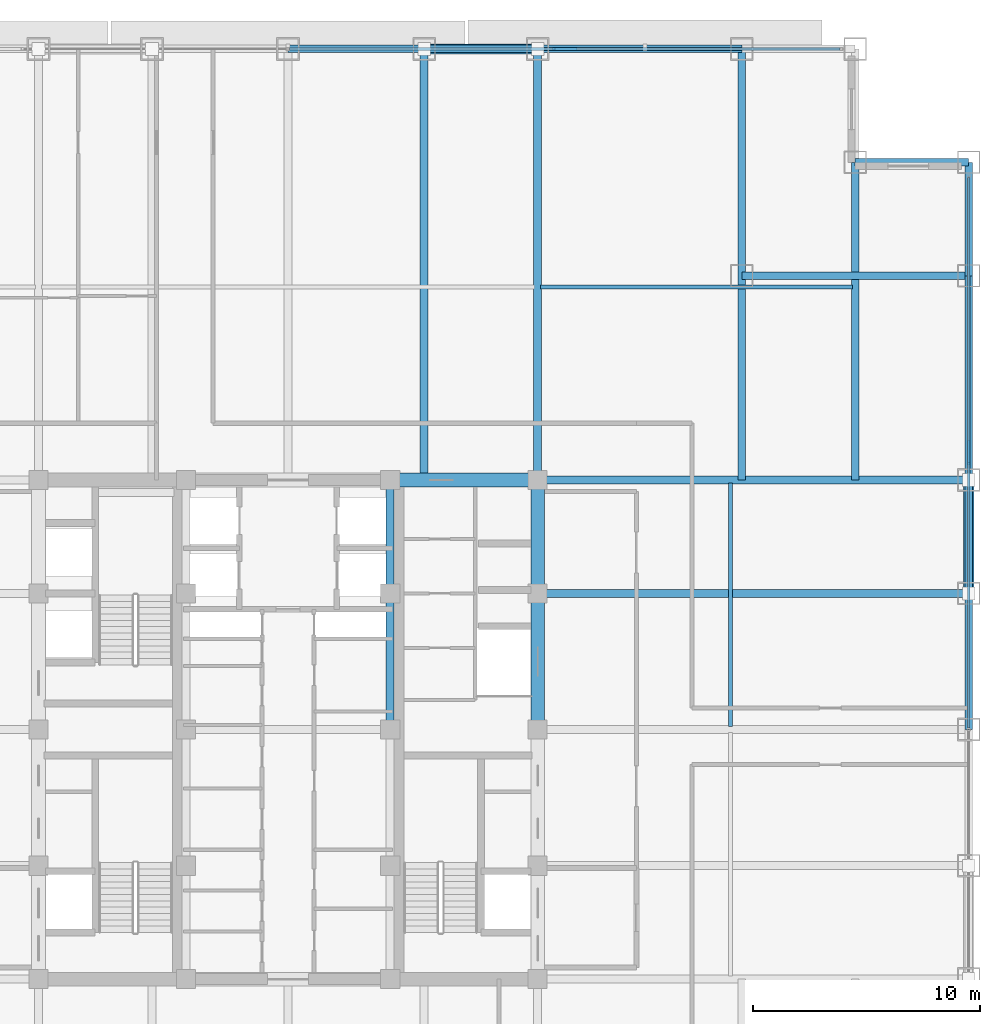
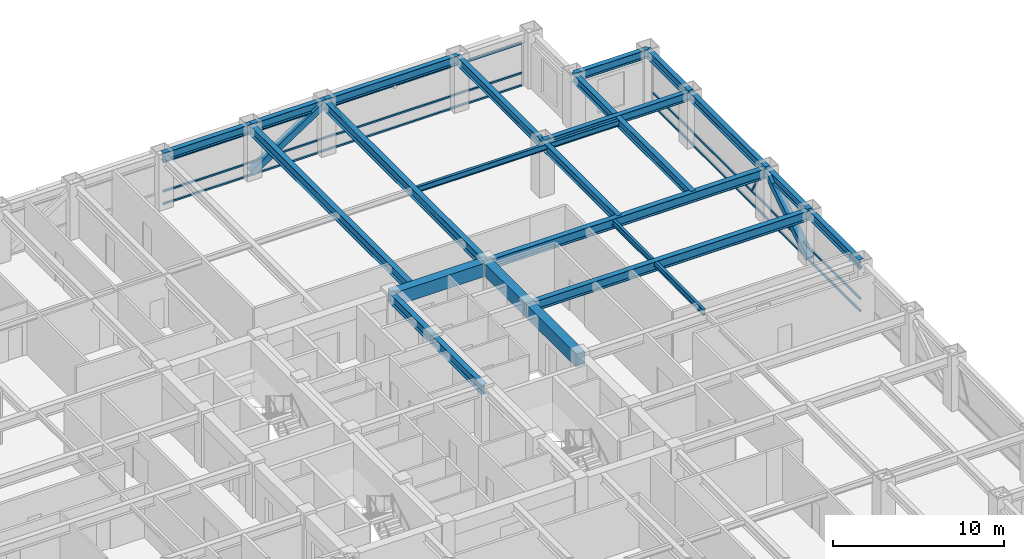
# One storey, part 17 of 29: 22 beams, 10 members, 2 elements without a shape of their own.
"""IFC4 building model written with IfcOpenShell, lengths in metres."""

from ifc_helpers import new_model, si_unit, direction, frame, origin, origin_2d, place, context, subcontext, project, spatial, rectangle, hollow_rectangle, i_section, extrude, source, transform, mapped, material, material_profile, profile_set, type_object, element, aggregate, save


model = new_model("IFC4")

# Units and contexts
model_context = context("Model", 3, precision=1e-05, world=origin(), true_north=direction((0.0, 1.0)))
body_context = subcontext(model_context, "Body", "Model", "MODEL_VIEW")
ifc_project = project(units=[si_unit("LENGTHUNIT", "METRE"), si_unit("AREAUNIT", "SQUARE_METRE"), si_unit("VOLUMEUNIT", "CUBIC_METRE"), si_unit("PLANEANGLEUNIT", "RADIAN"), si_unit("MASSUNIT", "GRAM", prefix="KILO")], contexts=[model_context])

# Site, building, storey
site_placement = place(None, origin())
site = spatial("IfcSite", under=ifc_project, at=site_placement, CompositionType="ELEMENT")
building_placement = place(site_placement, origin())
building = spatial("IfcBuilding", under=site, at=building_placement, Name="Khorayat Bourse Tower", CompositionType="ELEMENT")
storey_placement = place(building_placement, frame((0.0, 0.0, 235.10009765625)))
storey = spatial("IfcBuildingStorey", under=building, at=storey_placement, Name="L55", CompositionType="ELEMENT", Elevation=235.10009765625)

# Beams
ifc_material_1 = material(Name="Steel ASTM A992 Grade 50", Category="steel")
ifc_material_profile_1 = material_profile(ifc_material_1, i_section(OverallWidth=0.35498046875, OverallDepth=0.695068359375, WebThickness=0.015380859375, FlangeThickness=0.02490234375, FilletRadius=0.01806640625, at=origin_2d()), Name="W690X217")
ifc_profile_set_1 = profile_set([ifc_material_profile_1], Name="Steel ASTM A992 Grade 50")
beam_type_1 = type_object("IfcBeamType", Name="BM-GIRD-690", PredefinedType="BEAM", material=ifc_profile_set_1)
shared_shape_1 = source(origin(), body_context, "Body", "SweptSolid", [
    extrude(i_section(OverallWidth=0.35498046875, OverallDepth=0.695068359375, WebThickness=0.015380859375, FlangeThickness=0.02490234375, FilletRadius=0.01806640625, at=origin_2d()), origin(), (0.0, 0.0, 1.0), 5.0),
])
beam_1_placement = place(storey_placement, frame((4.5, 6.0, 3.432373046875), z_axis=(0.0, 1.0, 0.0), x_axis=(-1.0, 0.0, 0.0)))
element("IfcBeam", 1, at=beam_1_placement, inside=storey, type_object=beam_type_1, Name="L55 BM-GIRD-690 BM-L55-CRX-12", PredefinedType="BEAM", context=body_context, shape_type="MappedRepresentation", body=[
    mapped(shared_shape_1, transform((0.0, 0.0, 0.0), scale=1.0)),
])
shared_shape_2 = source(origin(), body_context, "Body", "SweptSolid", [
    extrude(i_section(OverallWidth=0.35498046875, OverallDepth=0.695068359375, WebThickness=0.015380859375, FlangeThickness=0.02490234375, FilletRadius=0.01806640625, at=origin_2d()), origin(), (0.0, 0.0, 1.0), 6.0),
])
beam_2_placement = place(storey_placement, frame((4.5, 0.0, 3.432373046875), z_axis=(0.0, 1.0, 0.0), x_axis=(-1.0, 0.0, 0.0)))
element("IfcBeam", 2, at=beam_2_placement, inside=storey, type_object=beam_type_1, Name="L55 BM-GIRD-690 BM-L55-CRX-11", PredefinedType="BEAM", context=body_context, shape_type="MappedRepresentation", body=[
    mapped(shared_shape_2, transform((0.0, 0.0, 0.0), scale=1.0)),
])
ifc_material_profile_2 = material_profile(ifc_material_1, i_section(OverallWidth=0.324951171875, OverallDepth=0.615966796875, WebThickness=0.013916015625, FlangeThickness=0.021484375, FilletRadius=0.01611328125, at=origin_2d()), Name="W610X174")
ifc_profile_set_2 = profile_set([ifc_material_profile_2], Name="Steel ASTM A992 Grade 50")
beam_type_2 = type_object("IfcBeamType", Name="BM-GIRD-610", PredefinedType="BEAM", material=ifc_profile_set_2)
shared_shape_3 = source(origin(), body_context, "Body", "SweptSolid", [
    extrude(i_section(OverallWidth=0.324951171875, OverallDepth=0.615966796875, WebThickness=0.013916015625, FlangeThickness=0.021484375, FilletRadius=0.01611328125, at=origin_2d()), origin(), (0.0, 0.0, 1.0), 19.0),
])
beam_3_placement = place(storey_placement, frame((20.0, 11.0, 3.471923828125), z_axis=(0.0, 1.0, 0.0), x_axis=(-1.0, 0.0, 0.0)))
element("IfcBeam", 3, at=beam_3_placement, inside=storey, type_object=beam_type_2, Name="L55 BM-GIRD-610 BM-L55-CNRY-087", PredefinedType="BEAM", context=body_context, shape_type="MappedRepresentation", body=[
    mapped(shared_shape_3, transform((0.0, 0.0, 0.0), scale=1.0)),
])
shared_shape_4 = source(origin(), body_context, "Body", "SweptSolid", [
    extrude(i_section(OverallWidth=0.324951171875, OverallDepth=0.615966796875, WebThickness=0.013916015625, FlangeThickness=0.021484375, FilletRadius=0.01611328125, at=origin_2d()), origin(), (0.0, 0.0, 1.0), 10.0),
])
beam_4_placement = place(storey_placement, frame((20.0, 20.0, 3.471923828125), z_axis=(1.0, 0.0, 0.0), x_axis=(0.0, 1.0, 0.0)))
element("IfcBeam", 4, at=beam_4_placement, inside=storey, type_object=beam_type_2, Name="L55 BM-GIRD-610 BM-L55-CNRX-094", PredefinedType="BEAM", context=body_context, shape_type="MappedRepresentation", body=[
    mapped(shared_shape_4, transform((0.0, 0.0, 0.0), scale=1.0)),
])
ifc_material_profile_3 = material_profile(ifc_material_1, i_section(OverallWidth=0.180908203125, OverallDepth=0.4169921875, WebThickness=0.010986328125, FlangeThickness=0.018310546875, FilletRadius=0.011962890625, at=origin_2d()), Name="W410X85")
ifc_profile_set_3 = profile_set([ifc_material_profile_3], Name="Steel ASTM A992 Grade 50")
beam_type_3 = type_object("IfcBeamType", Name="BM-JOIST-410", PredefinedType="JOIST", material=ifc_profile_set_3)
shared_shape_5 = source(origin(), body_context, "Body", "SweptSolid", [
    extrude(i_section(OverallWidth=0.180908203125, OverallDepth=0.4169921875, WebThickness=0.010986328125, FlangeThickness=0.018310546875, FilletRadius=0.011962890625, at=origin_2d()), origin(), (0.0, 0.0, 1.0), 10.740234375),
])
beam_5_placement = place(storey_placement, frame((19.5, 0.1298828125, 3.5712890625), z_axis=(0.0, 1.0, 0.0), x_axis=(-1.0, 0.0, 0.0)))
element("IfcBeam", 5, at=beam_5_placement, inside=storey, type_object=beam_type_3, Name="L55 BM-JOIST-410 BM-L55-JSTY-105", PredefinedType="JOIST", context=body_context, shape_type="MappedRepresentation", body=[
    mapped(shared_shape_5, transform((0.0, 0.0, 0.0), scale=1.0)),
])
ifc_material_profile_4 = material_profile(ifc_material_1, i_section(OverallWidth=0.324951171875, OverallDepth=0.615966796875, WebThickness=0.013916015625, FlangeThickness=0.021484375, FilletRadius=0.01611328125, at=origin_2d()), Name="W610X174")
ifc_profile_set_4 = profile_set([ifc_material_profile_4], Name="Steel ASTM A992 Grade 50")
beam_type_4 = type_object("IfcBeamType", Name="BM-SPAN-610", PredefinedType="SPANDREL", material=ifc_profile_set_4)
shared_shape_6 = source(origin(), body_context, "Body", "SweptSolid", [
    extrude(i_section(OverallWidth=0.324951171875, OverallDepth=0.615966796875, WebThickness=0.013916015625, FlangeThickness=0.021484375, FilletRadius=0.01611328125, at=origin_2d()), origin(), (0.0, 0.0, 1.0), 9.0),
])
for number, where, z_axis, x_axis, name in (
    (6, (30.0, 11.0, 3.471923828125), (0.0, 1.0, 0.0), (-1.0, 0.0, 0.0), "L55 BM-SPAN-610 BM-L55-SPN-040"),
    (7, (11.0, 30.0, 3.471923828125), (1.0, 0.0, 0.0), (0.0, 1.0, 0.0), "L55 BM-SPAN-610 BM-L55-SPN-045"),
):
    element("IfcBeam", number, at=place(storey_placement, frame(where, z_axis=z_axis, x_axis=x_axis)), inside=storey, type_object=beam_type_4, Name=name, PredefinedType="SPANDREL", context=body_context, shape_type="MappedRepresentation", body=[
        mapped(shared_shape_6, transform((0.0, 0.0, 0.0), scale=1.0)),
    ])
shared_shape_7 = source(origin(), body_context, "Body", "SweptSolid", [
    extrude(i_section(OverallWidth=0.324951171875, OverallDepth=0.615966796875, WebThickness=0.013916015625, FlangeThickness=0.021484375, FilletRadius=0.01611328125, at=origin_2d()), origin(), (0.0, 0.0, 1.0), 5.0),
])
for number, where, z_axis, x_axis, name in (
    (8, (30.0, 6.0, 3.471923828125), (0.0, 1.0, 0.0), (-1.0, 0.0, 0.0), "L55 BM-SPAN-610 BM-L55-SPN-039"),
    (9, (30.0, 20.0, 3.471923828125), (0.0, 1.0, 0.0), (-1.0, 0.0, 0.0), "L55 BM-SPAN-610 BM-L55-SPN-041"),
    (10, (25.0, 25.0, 3.471923828125), (1.0, 0.0, 0.0), (0.0, 1.0, 0.0), "L55 BM-SPAN-610 BM-L55-SPN-042"),
    (11, (6.0, 30.0, 3.471923828125), (1.0, 0.0, 0.0), (0.0, 1.0, 0.0), "L55 BM-SPAN-610 BM-L55-SPN-046"),
):
    element("IfcBeam", number, at=place(storey_placement, frame(where, z_axis=z_axis, x_axis=x_axis)), inside=storey, type_object=beam_type_4, Name=name, PredefinedType="SPANDREL", context=body_context, shape_type="MappedRepresentation", body=[
        mapped(shared_shape_7, transform((0.0, 0.0, 0.0), scale=1.0)),
    ])
shared_shape_8 = source(origin(), body_context, "Body", "SweptSolid", [
    extrude(i_section(OverallWidth=0.324951171875, OverallDepth=0.615966796875, WebThickness=0.013916015625, FlangeThickness=0.021484375, FilletRadius=0.01611328125, at=origin_2d()), origin(), (0.0, 0.0, 1.0), 6.0),
])
for number, where, z_axis, x_axis, name in (
    (12, (30.0, 0.0, 3.471923828125), (0.0, 1.0, 0.0), (-1.0, 0.0, 0.0), "L55 BM-SPAN-610 BM-L55-SPN-038"),
    (13, (0.0, 30.0, 3.471923828125), (1.0, 0.0, 0.0), (0.0, 1.0, 0.0), "L55 BM-SPAN-610 BM-L55-SPN-047"),
):
    element("IfcBeam", number, at=place(storey_placement, frame(where, z_axis=z_axis, x_axis=x_axis)), inside=storey, type_object=beam_type_4, Name=name, PredefinedType="SPANDREL", context=body_context, shape_type="MappedRepresentation", body=[
        mapped(shared_shape_8, transform((0.0, 0.0, 0.0), scale=1.0)),
    ])
ifc_material_2 = material(Name="Concrete C60/75", Category="concrete")
ifc_material_profile_5 = material_profile(ifc_material_2, rectangle(XDim=0.60009765625, YDim=0.949951171875, at=origin_2d()), Name="RC 600x950")
ifc_profile_set_5 = profile_set([ifc_material_profile_5], Name="Concrete C60/75")
beam_type_5 = type_object("IfcBeamType", Name="BM-COUP-950", PredefinedType="BEAM", material=ifc_profile_set_5)
shared_shape_9 = source(origin(), body_context, "Body", "SweptSolid", [
    extrude(rectangle(XDim=0.60009765625, YDim=0.949951171875, at=origin_2d()), origin(), (0.0, 0.0, 1.0), 5.0),
])
beam_6_placement = place(storey_placement, frame((11.0, 6.0, 3.304931640625), z_axis=(0.0, 1.0, 0.0), x_axis=(-1.0, 0.0, 0.0)))
element("IfcBeam", 14, at=beam_6_placement, inside=storey, type_object=beam_type_5, Name="L55 BM-COUP-950 BM-L55-CRX-16", PredefinedType="BEAM", context=body_context, shape_type="MappedRepresentation", body=[
    mapped(shared_shape_9, transform((0.0, 0.0, 0.0), scale=1.0)),
])
shared_shape_10 = source(origin(), body_context, "Body", "SweptSolid", [
    extrude(rectangle(XDim=0.60009765625, YDim=0.949951171875, at=origin_2d()), origin(), (0.0, 0.0, 1.0), 6.0),
])
beam_7_placement = place(storey_placement, frame((11.0, 0.0, 3.304931640625), z_axis=(0.0, 1.0, 0.0), x_axis=(-1.0, 0.0, 0.0)))
element("IfcBeam", 15, at=beam_7_placement, inside=storey, type_object=beam_type_5, Name="L55 BM-COUP-950 BM-L55-CRX-15", PredefinedType="BEAM", context=body_context, shape_type="MappedRepresentation", body=[
    mapped(shared_shape_10, transform((0.0, 0.0, 0.0), scale=1.0)),
])
shared_shape_11 = source(origin(), body_context, "Body", "SweptSolid", [
    extrude(rectangle(XDim=0.60009765625, YDim=0.949951171875, at=origin_2d()), origin(), (0.0, 0.0, 1.0), 6.5),
])
beam_8_placement = place(storey_placement, frame((4.5, 11.0, 3.304931640625), z_axis=(1.0, 0.0, 0.0), x_axis=(0.0, 1.0, 0.0)))
element("IfcBeam", 16, at=beam_8_placement, inside=storey, type_object=beam_type_5, Name="L55 BM-COUP-950 BM-L55-CRY-22", PredefinedType="BEAM", context=body_context, shape_type="MappedRepresentation", body=[
    mapped(shared_shape_11, transform((0.0, 0.0, 0.0), scale=1.0)),
])
shared_shape_12 = source(origin(), body_context, "Body", "SweptSolid", [
    extrude(i_section(OverallWidth=0.35498046875, OverallDepth=0.695068359375, WebThickness=0.015380859375, FlangeThickness=0.02490234375, FilletRadius=0.01806640625, at=origin_2d()), origin(), (0.0, 0.0, 1.0), 19.0),
])
for number, where, z_axis, x_axis, name in (
    (17, (6.0, 11.0, 3.432373046875), (0.0, 1.0, 0.0), (-1.0, 0.0, 0.0), "L55 BM-GIRD-690 BM-L55-RADY-070"),
    (18, (11.0, 11.0, 3.432373046875), (0.0, 1.0, 0.0), (-1.0, 0.0, 0.0), "L55 BM-GIRD-690 BM-L55-RADY-072"),
    (19, (11.0, 6.0, 3.432373046875), (1.0, 0.0, 0.0), (0.0, 1.0, 0.0), "L55 BM-GIRD-690 BM-L55-RADX-080"),
    (20, (11.0, 11.0, 3.432373046875), (1.0, 0.0, 0.0), (0.0, 1.0, 0.0), "L55 BM-GIRD-690 BM-L55-RADX-082"),
):
    element("IfcBeam", number, at=place(storey_placement, frame(where, z_axis=z_axis, x_axis=x_axis)), inside=storey, type_object=beam_type_1, Name=name, PredefinedType="BEAM", context=body_context, shape_type="MappedRepresentation", body=[
        mapped(shared_shape_12, transform((0.0, 0.0, 0.0), scale=1.0)),
    ])
shared_shape_13 = source(origin(), body_context, "Body", "SweptSolid", [
    extrude(i_section(OverallWidth=0.324951171875, OverallDepth=0.615966796875, WebThickness=0.013916015625, FlangeThickness=0.021484375, FilletRadius=0.01611328125, at=origin_2d()), origin(), (0.0, 0.0, 1.0), 14.0),
])
beam_9_placement = place(storey_placement, frame((25.0, 11.0, 3.471923828125), z_axis=(0.0, 1.0, 0.0), x_axis=(-1.0, 0.0, 0.0)))
element("IfcBeam", 21, at=beam_9_placement, inside=storey, type_object=beam_type_2, Name="L55 BM-GIRD-610 BM-L55-CNRY-091", PredefinedType="BEAM", context=body_context, shape_type="MappedRepresentation", body=[
    mapped(shared_shape_13, transform((0.0, 0.0, 0.0), scale=1.0)),
])
shared_shape_14 = source(origin(), body_context, "Body", "SweptSolid", [
    extrude(i_section(OverallWidth=0.180908203125, OverallDepth=0.4169921875, WebThickness=0.010986328125, FlangeThickness=0.018310546875, FilletRadius=0.011962890625, at=origin_2d()), origin(), (0.0, 0.0, 1.0), 13.740234375),
])
beam_10_placement = place(storey_placement, frame((11.1298828125, 19.5, 3.5712890625), z_axis=(1.0, 0.0, 0.0), x_axis=(0.0, 1.0, 0.0)))
element("IfcBeam", 22, at=beam_10_placement, inside=storey, type_object=beam_type_3, Name="L55 BM-JOIST-410 BM-L55-JSTX-101", PredefinedType="JOIST", context=body_context, shape_type="MappedRepresentation", body=[
    mapped(shared_shape_14, transform((0.0, 0.0, 0.0), scale=1.0)),
])

# Members
ifc_material_3 = material(Name="Steel EN 10025-4 S460M", Category="steel")
ifc_material_profile_6 = material_profile(ifc_material_3, hollow_rectangle(XDim=0.449951171875, YDim=0.449951171875, WallThickness=0.02490234375, at=origin_2d()), Name="HSS 450x450x25")
ifc_profile_set_6 = profile_set([ifc_material_profile_6], Name="Steel EN 10025-4 S460M")
member_type_1 = type_object("IfcMemberType", Name="MBR-TUBE-450", PredefinedType="BRACE", material=ifc_profile_set_6)
shared_shape_15 = source(origin(), body_context, "Body", "SweptSolid", [
    extrude(hollow_rectangle(XDim=0.449951171875, YDim=0.449951171875, WallThickness=0.02490234375, at=origin_2d()), origin(), (0.0, 0.0, 1.0), 5.979736328125),
])
for number, where, z_axis, x_axis, name in (
    (23, (6.0, 30.0, 0.25), (0.836160261256, 0.0, 0.548485202623), (0.0, 1.0, 0.0), "L55 Perimeter Tube Brace 04"),
    (24, (30.0, 6.0, 0.25), (0.0, 0.836160261256, 0.548485202623), (-1.0, 0.0, 0.0), "L55 Perimeter Tube Brace 08"),
):
    element("IfcMember", number, at=place(storey_placement, frame(where, z_axis=z_axis, x_axis=x_axis)), inside=storey, type_object=member_type_1, Name=name, PredefinedType="BRACE", context=body_context, shape_type="MappedRepresentation", body=[
        mapped(shared_shape_15, transform((0.0, 0.0, 0.0), scale=1.0)),
    ])

# Curtain wall, member
ifc_material_4 = material(Name="Aluminium EN AW-6063 T6", Category="aluminium")
curtain_wall_type = type_object("IfcCurtainWallType", Name="CW-SYS-03", PredefinedType="NOTDEFINED", material=ifc_material_4)
curtain_wall_1_placement = place(storey_placement, origin())
curtain_wall_1 = element("IfcCurtainWall", 25, at=curtain_wall_1_placement, inside=storey, type_object=curtain_wall_type, Name="L55 Curtain Wall CW-L55-N1", PredefinedType="NOTDEFINED")
ifc_material_profile_7 = material_profile(ifc_material_4, hollow_rectangle(XDim=0.1201171875, YDim=0.1201171875, WallThickness=0.0048828125, at=origin_2d()), Name="ALU 120x120x5")
ifc_profile_set_7 = profile_set([ifc_material_profile_7], Name="Aluminium EN AW-6063 T6")
member_type_2 = type_object("IfcMemberType", Name="CWM-DIAG-120", PredefinedType="MULLION", material=ifc_profile_set_7)
shared_shape_16 = source(origin(), body_context, "Body", "SweptSolid", [
    extrude(hollow_rectangle(XDim=0.1201171875, YDim=0.1201171875, WallThickness=0.0048828125, at=origin_2d()), origin(), (0.0, 0.0, 1.0), 2.079345703125),
])
member_1_placement = place(storey_placement, frame((12.67919921875, 30.0, 1.08984375), z_axis=(-0.465760949701, 0.0, 0.884910581773), x_axis=(0.0, -1.0, 0.0)))
member_1 = element("IfcMember", 26, at=member_1_placement, type_object=member_type_2, Name="CW-L55-N1 Faceted Diagonal Mullion 2", PredefinedType="MULLION", context=body_context, shape_type="MappedRepresentation", body=[
    mapped(shared_shape_16, transform((0.0, 0.0, 0.0), scale=1.0)),
])

curtain_wall_2_placement = place(storey_placement, origin())
curtain_wall_2 = element("IfcCurtainWall", 27, at=curtain_wall_2_placement, inside=storey, type_object=curtain_wall_type, Name="L55 Curtain Wall CW-L55-E1", PredefinedType="NOTDEFINED")
member_2_placement = place(storey_placement, frame((30.0, 12.67919921875, 1.08984375), z_axis=(0.0, -0.465760949701, 0.884910581773), x_axis=(1.0, 0.0, 0.0)))
member_2 = element("IfcMember", 28, at=member_2_placement, type_object=member_type_2, Name="CW-L55-E1 Faceted Diagonal Mullion 2", PredefinedType="MULLION", context=body_context, shape_type="MappedRepresentation", body=[
    mapped(shared_shape_16, transform((0.0, 0.0, 0.0), scale=1.0)),
])

# Member
ifc_material_profile_8 = material_profile(ifc_material_4, hollow_rectangle(XDim=0.1201171875, YDim=0.1201171875, WallThickness=0.0048828125, at=origin_2d()), Name="ALU 120x120x5")
ifc_profile_set_8 = profile_set([ifc_material_profile_8], Name="Aluminium EN AW-6063 T6")
member_type_3 = type_object("IfcMemberType", Name="CWT-HORZ-120", PredefinedType="USERDEFINED", material=ifc_profile_set_8)
shared_shape_17 = source(origin(), body_context, "Body", "SweptSolid", [
    extrude(hollow_rectangle(XDim=0.1201171875, YDim=0.1201171875, WallThickness=0.0048828125, at=origin_2d()), origin(), (0.0, 0.0, 1.0), 24.27001953125),
])
member_3_placement = place(storey_placement, frame((0.06005859375, 30.0, 0.059814453125), z_axis=(1.0, 0.0, 0.0), x_axis=(0.0, 1.0, 0.0)))
member_3 = element("IfcMember", 29, at=member_3_placement, type_object=member_type_3, Name="CW-L55-N1 Horizontal Transom 2-1", ObjectType="TRANSOM", PredefinedType="USERDEFINED", context=body_context, shape_type="MappedRepresentation", body=[
    mapped(shared_shape_17, transform((0.0, 0.0, 0.0), scale=1.0)),
])

member_4_placement = place(storey_placement, frame((0.06005859375, 30.0, 0.949951171875), z_axis=(1.0, 0.0, 0.0), x_axis=(0.0, 1.0, 0.0)))
member_4 = element("IfcMember", 30, at=member_4_placement, type_object=member_type_3, Name="CW-L55-N1 Horizontal Transom 2-2", ObjectType="TRANSOM", PredefinedType="USERDEFINED", context=body_context, shape_type="MappedRepresentation", body=[
    mapped(shared_shape_17, transform((0.0, 0.0, 0.0), scale=1.0)),
])

member_5_placement = place(storey_placement, frame((0.06005859375, 30.0, 3.06982421875), z_axis=(1.0, 0.0, 0.0), x_axis=(0.0, 1.0, 0.0)))
member_5 = element("IfcMember", 31, at=member_5_placement, type_object=member_type_3, Name="CW-L55-N1 Horizontal Transom 2-3", ObjectType="TRANSOM", PredefinedType="USERDEFINED", context=body_context, shape_type="MappedRepresentation", body=[
    mapped(shared_shape_17, transform((0.0, 0.0, 0.0), scale=1.0)),
])

aggregate(curtain_wall_1, [member_3, member_4, member_5, member_1])

member_6_placement = place(storey_placement, frame((30.0, 0.06005859375, 0.059814453125), z_axis=(0.0, 1.0, 0.0), x_axis=(-1.0, 0.0, 0.0)))
member_6 = element("IfcMember", 32, at=member_6_placement, type_object=member_type_3, Name="CW-L55-E1 Horizontal Transom 2-1", ObjectType="TRANSOM", PredefinedType="USERDEFINED", context=body_context, shape_type="MappedRepresentation", body=[
    mapped(shared_shape_17, transform((0.0, 0.0, 0.0), scale=1.0)),
])

member_7_placement = place(storey_placement, frame((30.0, 0.06005859375, 0.949951171875), z_axis=(0.0, 1.0, 0.0), x_axis=(-1.0, 0.0, 0.0)))
member_7 = element("IfcMember", 33, at=member_7_placement, type_object=member_type_3, Name="CW-L55-E1 Horizontal Transom 2-2", ObjectType="TRANSOM", PredefinedType="USERDEFINED", context=body_context, shape_type="MappedRepresentation", body=[
    mapped(shared_shape_17, transform((0.0, 0.0, 0.0), scale=1.0)),
])

member_8_placement = place(storey_placement, frame((30.0, 0.06005859375, 3.06982421875), z_axis=(0.0, 1.0, 0.0), x_axis=(-1.0, 0.0, 0.0)))
member_8 = element("IfcMember", 34, at=member_8_placement, type_object=member_type_3, Name="CW-L55-E1 Horizontal Transom 2-3", ObjectType="TRANSOM", PredefinedType="USERDEFINED", context=body_context, shape_type="MappedRepresentation", body=[
    mapped(shared_shape_17, transform((0.0, 0.0, 0.0), scale=1.0)),
])

aggregate(curtain_wall_2, [member_6, member_7, member_8, member_2])

save(model, "model.ifc")
